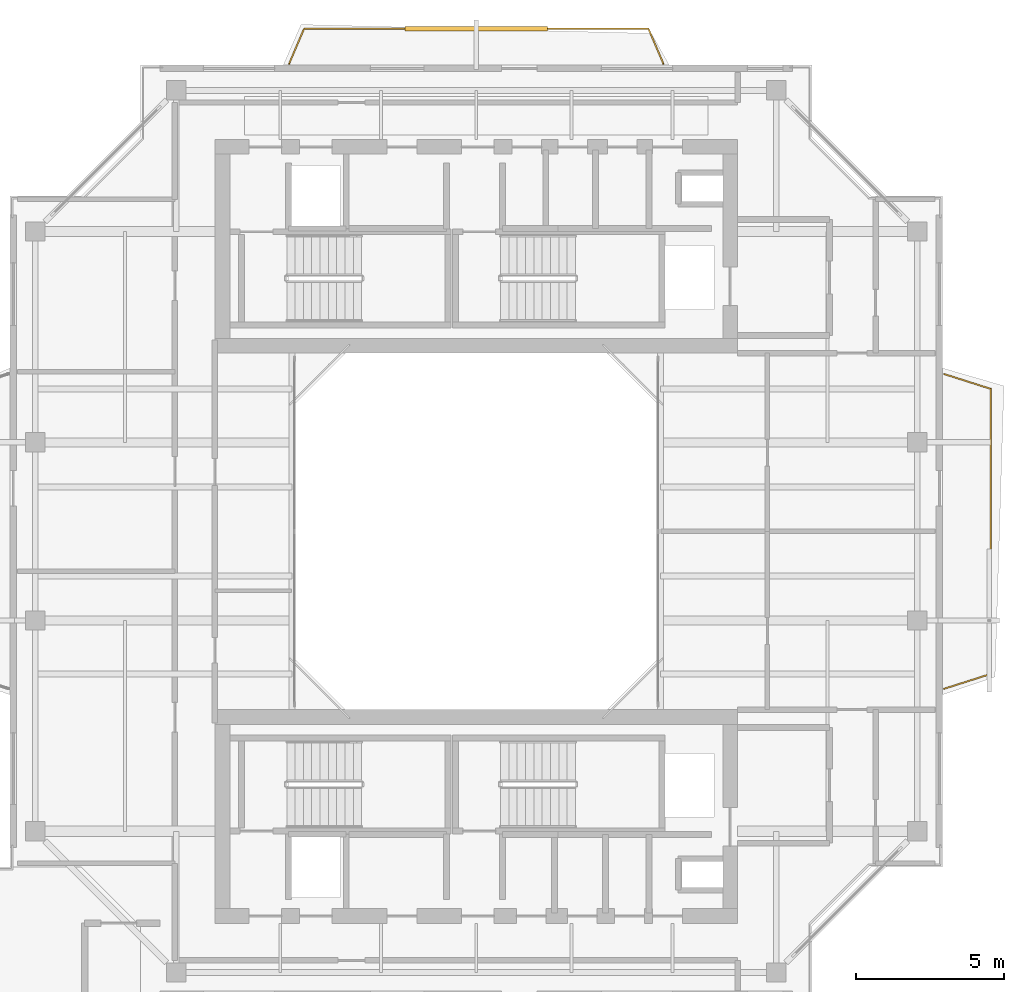
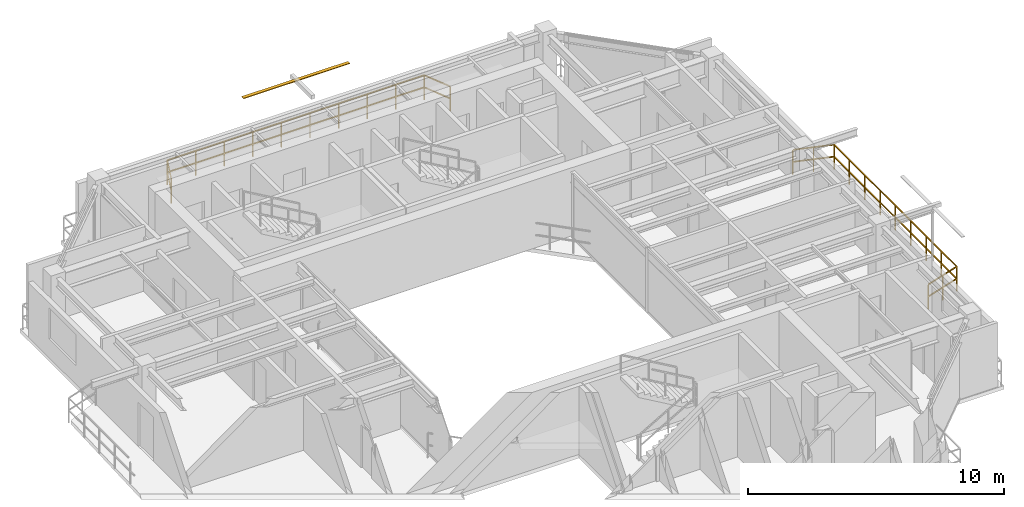
# One storey, part 14 of 14: 2 railings, 1 shading device.
"""IFC4 building model written with IfcOpenShell, lengths in metres."""

from ifc_helpers import new_model, si_unit, direction, frame, origin, origin_2d, place, context, subcontext, project, spatial, rectangle, extrude, source, transform, mapped, material, material_profile, profile_set, type_object, element, save


model = new_model("IFC4")

# Units and contexts
model_context = context("Model", 3, precision=1e-05, world=origin(), true_north=direction((0.0, 1.0)))
body_context = subcontext(model_context, "Body", "Model", "MODEL_VIEW")
ifc_project = project(units=[si_unit("LENGTHUNIT", "METRE"), si_unit("AREAUNIT", "SQUARE_METRE"), si_unit("VOLUMEUNIT", "CUBIC_METRE"), si_unit("PLANEANGLEUNIT", "RADIAN"), si_unit("MASSUNIT", "GRAM", prefix="KILO"), si_unit("THERMODYNAMICTEMPERATUREUNIT", "KELVIN"), si_unit("POWERUNIT", "WATT")], contexts=[model_context])

# Site, building, storey
site_placement = place(None, origin())
site = spatial("IfcSite", under=ifc_project, at=site_placement, CompositionType="ELEMENT")
building_placement = place(site_placement, origin())
building = spatial("IfcBuilding", under=site, at=building_placement, Name="Qiaomeng Ring Towers", CompositionType="ELEMENT")
storey_placement = place(building_placement, frame((0.0, 0.0, 243.75)))
storey = spatial("IfcBuildingStorey", under=building, at=storey_placement, Name="L71", CompositionType="ELEMENT", Elevation=243.75)

# Railings
ifc_material_1 = material(Name="Low-E pale-green laminated safety glass", Category="glass")
railing_type = type_object("IfcRailingType", Name="ARC-RL-BAL1", PredefinedType="BALUSTRADE", material=ifc_material_1)
railing_1_placement = place(storey_placement, frame((34.75, 17.699951171875, 0.0)))
element("IfcRailing", 1, at=railing_1_placement, inside=storey, type_object=railing_type, Name="L71 Balustrade ARC-BAL-L71-T1-E", PredefinedType="BALUSTRADE", context=body_context, shape_type="SweptSolid", body=[
    extrude(rectangle(XDim=0.048095703125, YDim=0.048095703125, at=origin_2d()), frame((0.0, 0.0, 1.17578125), z_axis=(0.952849860715, 0.303442157479, 0.0), x_axis=(-0.303442157479, 0.952849860715, 0.0)), (0.0, 0.0, 1.0), 1.647705078125),
    extrude(rectangle(XDim=0.048095703125, YDim=0.048095703125, at=origin_2d()), frame((0.0, 0.0, 0.60009765625), z_axis=(0.952849860715, 0.303442157479, 0.0), x_axis=(-0.303442157479, 0.952849860715, 0.0)), (0.0, 0.0, 1.0), 1.647705078125),
    extrude(rectangle(XDim=0.048095703125, YDim=0.048095703125, at=origin_2d()), frame((1.570068359375, 0.5, 1.17578125), z_axis=(0.0, 1.0, 0.0), x_axis=(-1.0, 0.0, 0.0)), (0.0, 0.0, 1.0), 9.60009765625),
    extrude(rectangle(XDim=0.048095703125, YDim=0.048095703125, at=origin_2d()), frame((1.570068359375, 0.5, 0.60009765625), z_axis=(0.0, 1.0, 0.0), x_axis=(-1.0, 0.0, 0.0)), (0.0, 0.0, 1.0), 9.60009765625),
    extrude(rectangle(XDim=0.048095703125, YDim=0.048095703125, at=origin_2d()), frame((1.570068359375, 10.10009765625, 1.17578125), z_axis=(-0.952849860715, 0.303442157479, 0.0), x_axis=(-0.303442157479, -0.952849860715, 0.0)), (0.0, 0.0, 1.0), 1.647705078125),
    extrude(rectangle(XDim=0.048095703125, YDim=0.048095703125, at=origin_2d()), frame((1.570068359375, 10.10009765625, 0.60009765625), z_axis=(-0.952849860715, 0.303442157479, 0.0), x_axis=(-0.303442157479, -0.952849860715, 0.0)), (0.0, 0.0, 1.0), 1.647705078125),
    extrude(rectangle(XDim=0.0419921875, YDim=0.0419921875, at=origin_2d()), origin(), (0.0, 0.0, 1.0), 1.15185546875),
    extrude(rectangle(XDim=0.0419921875, YDim=0.0419921875, at=origin_2d()), frame((0.78515625, 0.25, 0.0)), (0.0, 0.0, 1.0), 1.15185546875),
    extrude(rectangle(XDim=0.0419921875, YDim=0.0419921875, at=origin_2d()), frame((1.570068359375, 0.5, 0.0)), (0.0, 0.0, 1.0), 1.15185546875),
    extrude(rectangle(XDim=0.0419921875, YDim=0.0419921875, at=origin_2d()), frame((1.570068359375, 1.699951171875, 0.0)), (0.0, 0.0, 1.0), 1.15185546875),
    extrude(rectangle(XDim=0.0419921875, YDim=0.0419921875, at=origin_2d()), frame((1.570068359375, 2.89990234375, 0.0)), (0.0, 0.0, 1.0), 1.15185546875),
    extrude(rectangle(XDim=0.0419921875, YDim=0.0419921875, at=origin_2d()), frame((1.570068359375, 4.10009765625, 0.0)), (0.0, 0.0, 1.0), 1.15185546875),
    extrude(rectangle(XDim=0.0419921875, YDim=0.0419921875, at=origin_2d()), frame((1.570068359375, 5.300048828125, 0.0)), (0.0, 0.0, 1.0), 1.15185546875),
    extrude(rectangle(XDim=0.0419921875, YDim=0.0419921875, at=origin_2d()), frame((1.570068359375, 6.5, 0.0)), (0.0, 0.0, 1.0), 1.15185546875),
    extrude(rectangle(XDim=0.0419921875, YDim=0.0419921875, at=origin_2d()), frame((1.570068359375, 7.7001953125, 0.0)), (0.0, 0.0, 1.0), 1.15185546875),
    extrude(rectangle(XDim=0.0419921875, YDim=0.0419921875, at=origin_2d()), frame((1.570068359375, 8.900146484375, 0.0)), (0.0, 0.0, 1.0), 1.15185546875),
    extrude(rectangle(XDim=0.0419921875, YDim=0.0419921875, at=origin_2d()), frame((1.570068359375, 10.10009765625, 0.0)), (0.0, 0.0, 1.0), 1.15185546875),
    extrude(rectangle(XDim=0.0419921875, YDim=0.0419921875, at=origin_2d()), frame((0.78515625, 10.35009765625, 0.0)), (0.0, 0.0, 1.0), 1.15185546875),
    extrude(rectangle(XDim=0.0419921875, YDim=0.0419921875, at=origin_2d()), frame((0.0, 10.60009765625, 0.0)), (0.0, 0.0, 1.0), 1.15185546875),
])
railing_2_placement = place(storey_placement, frame((12.699951171875, 38.75, 0.0)))
element("IfcRailing", 2, at=railing_2_placement, inside=storey, type_object=railing_type, Name="L71 Balustrade ARC-BAL-L71-T1-N", PredefinedType="BALUSTRADE", context=body_context, shape_type="SweptSolid", body=[
    extrude(rectangle(XDim=0.048095703125, YDim=0.048095703125, at=origin_2d()), frame((0.0, 0.0, 1.17578125), z_axis=(0.39299272826, 0.919541579014, 0.0), x_axis=(-0.919541579014, 0.39299272826, 0.0)), (0.0, 0.0, 1.0), 1.272216796875),
    extrude(rectangle(XDim=0.048095703125, YDim=0.048095703125, at=origin_2d()), frame((0.0, 0.0, 0.60009765625), z_axis=(0.39299272826, 0.919541579014, 0.0), x_axis=(-0.919541579014, 0.39299272826, 0.0)), (0.0, 0.0, 1.0), 1.272216796875),
    extrude(rectangle(XDim=0.048095703125, YDim=0.048095703125, at=origin_2d()), frame((0.5, 1.169921875, 1.17578125), z_axis=(1.0, 0.0, 0.0), x_axis=(0.0, 1.0, 0.0)), (0.0, 0.0, 1.0), 11.60009765625),
    extrude(rectangle(XDim=0.048095703125, YDim=0.048095703125, at=origin_2d()), frame((0.5, 1.169921875, 0.60009765625), z_axis=(1.0, 0.0, 0.0), x_axis=(0.0, 1.0, 0.0)), (0.0, 0.0, 1.0), 11.60009765625),
    extrude(rectangle(XDim=0.048095703125, YDim=0.048095703125, at=origin_2d()), frame((12.10009765625, 1.169921875, 1.17578125), z_axis=(0.39299272826, -0.919541579014, 0.0), x_axis=(0.919541579014, 0.39299272826, 0.0)), (0.0, 0.0, 1.0), 1.272216796875),
    extrude(rectangle(XDim=0.048095703125, YDim=0.048095703125, at=origin_2d()), frame((12.10009765625, 1.169921875, 0.60009765625), z_axis=(0.39299272826, -0.919541579014, 0.0), x_axis=(0.919541579014, 0.39299272826, 0.0)), (0.0, 0.0, 1.0), 1.272216796875),
    extrude(rectangle(XDim=0.0419921875, YDim=0.0419921875, at=origin_2d()), origin(), (0.0, 0.0, 1.0), 1.15185546875),
    extrude(rectangle(XDim=0.0419921875, YDim=0.0419921875, at=origin_2d()), frame((0.5, 1.169921875, 0.0)), (0.0, 0.0, 1.0), 1.15185546875),
    extrude(rectangle(XDim=0.0419921875, YDim=0.0419921875, at=origin_2d()), frame((1.788818359375, 1.169921875, 0.0)), (0.0, 0.0, 1.0), 1.15185546875),
    extrude(rectangle(XDim=0.0419921875, YDim=0.0419921875, at=origin_2d()), frame((3.077880859375, 1.169921875, 0.0)), (0.0, 0.0, 1.0), 1.15185546875),
    extrude(rectangle(XDim=0.0419921875, YDim=0.0419921875, at=origin_2d()), frame((4.36669921875, 1.169921875, 0.0)), (0.0, 0.0, 1.0), 1.15185546875),
    extrude(rectangle(XDim=0.0419921875, YDim=0.0419921875, at=origin_2d()), frame((5.655517578125, 1.169921875, 0.0)), (0.0, 0.0, 1.0), 1.15185546875),
    extrude(rectangle(XDim=0.0419921875, YDim=0.0419921875, at=origin_2d()), frame((6.944580078125, 1.169921875, 0.0)), (0.0, 0.0, 1.0), 1.15185546875),
    extrude(rectangle(XDim=0.0419921875, YDim=0.0419921875, at=origin_2d()), frame((8.2333984375, 1.169921875, 0.0)), (0.0, 0.0, 1.0), 1.15185546875),
    extrude(rectangle(XDim=0.0419921875, YDim=0.0419921875, at=origin_2d()), frame((9.522216796875, 1.169921875, 0.0)), (0.0, 0.0, 1.0), 1.15185546875),
    extrude(rectangle(XDim=0.0419921875, YDim=0.0419921875, at=origin_2d()), frame((10.811279296875, 1.169921875, 0.0)), (0.0, 0.0, 1.0), 1.15185546875),
    extrude(rectangle(XDim=0.0419921875, YDim=0.0419921875, at=origin_2d()), frame((12.10009765625, 1.169921875, 0.0)), (0.0, 0.0, 1.0), 1.15185546875),
    extrude(rectangle(XDim=0.0419921875, YDim=0.0419921875, at=origin_2d()), frame((12.60009765625, 0.0, 0.0)), (0.0, 0.0, 1.0), 1.15185546875),
])

# Shading device
ifc_material_2 = material(Name="Fluorocarbon dark-grey aluminium", Category="aluminium")
ifc_material_profile = material_profile(ifc_material_2, rectangle(XDim=0.14990234375, YDim=0.034912109375, at=origin_2d()), Name="LV BLADE 150x35")
ifc_profile_set = profile_set([ifc_material_profile], Name="Fluorocarbon dark-grey aluminium")
shading_device_type = type_object("IfcShadingDeviceType", Name="ARC-SHD-SUN", PredefinedType="AWNING", material=ifc_profile_set)
shared_shape = source(origin(), body_context, "Body", "SweptSolid", [
    extrude(rectangle(XDim=0.14990234375, YDim=0.034912109375, at=origin_2d()), origin(), (0.0, 0.0, 1.0), 4.7998046875),
])
shading_device_placement = place(storey_placement, frame((16.60009765625, 39.919921875, 2.969970703125), z_axis=(1.0, 0.0, 0.0), x_axis=(0.0, 1.0, 0.0)))
element("IfcShadingDevice", 3, at=shading_device_placement, inside=storey, type_object=shading_device_type, Name="L71 Ventilated Outer-Skin Sunshade N", PredefinedType="AWNING", context=body_context, shape_type="MappedRepresentation", body=[
    mapped(shared_shape, transform((0.0, 0.0, 0.0), x_axis=(1.0, 0.0, 0.0), y_axis=(0.0, 1.0, 0.0), z_axis=(0.0, 0.0, 1.0), scale=1.0)),
])

save(model, "model.ifc")
